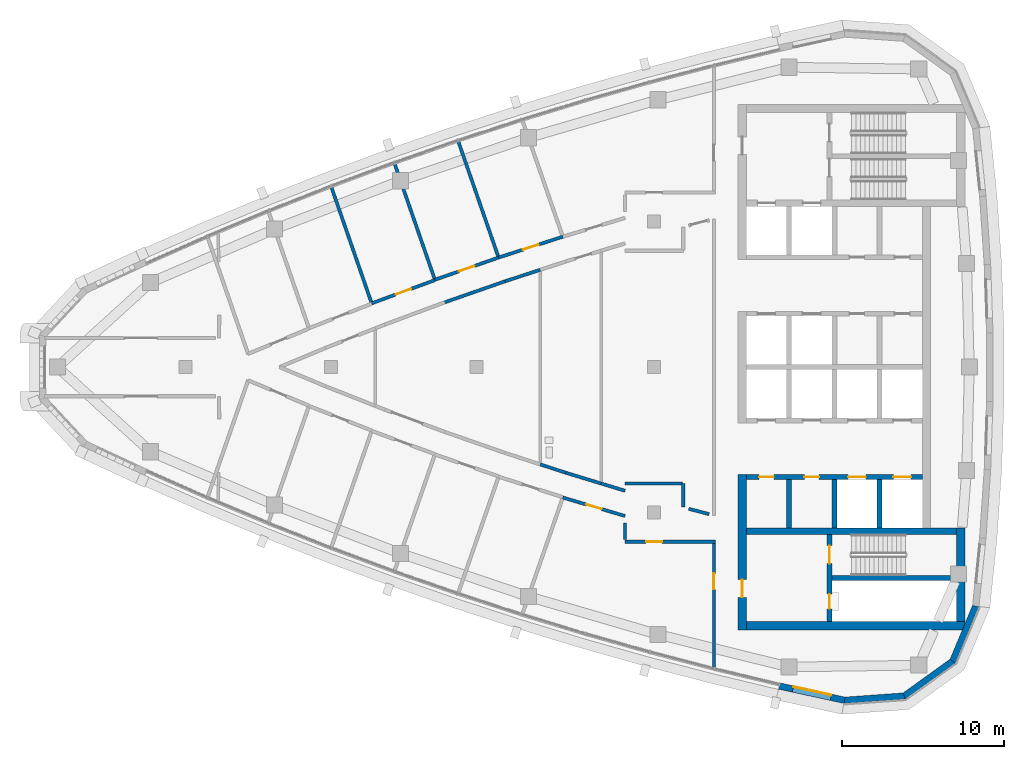
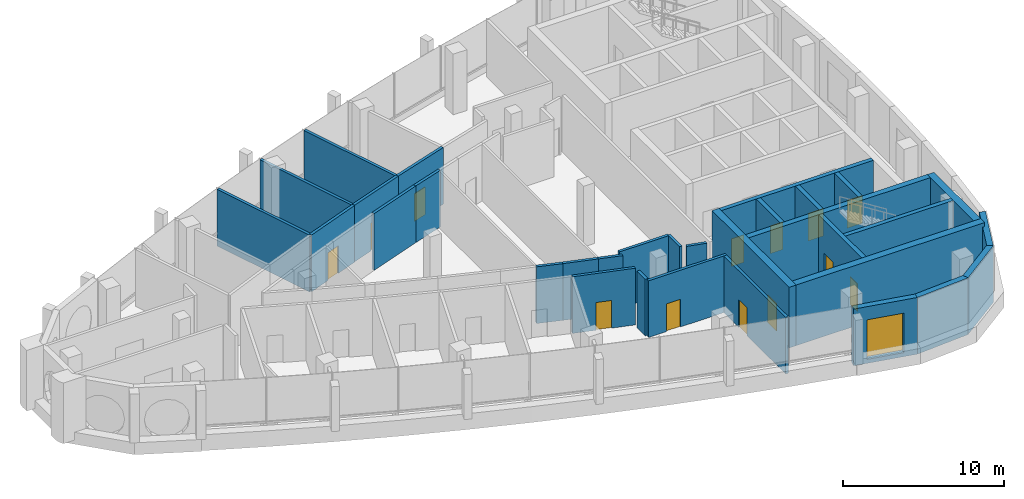
# One storey, part 8 of 15: 32 walls, 13 doors, 1 window, 14 openings.
"""IFC4 building model written with IfcOpenShell, lengths in metres."""

from ifc_helpers import new_model, si_unit, direction, frame, frame_2d, origin, place, context, subcontext, project, spatial, polyline, rectangle, outline, extrude, material, layer, layer_set, type_object, element, fill, save


model = new_model("IFC4")

# Units and contexts
model_context = context("Model", 3, precision=1e-05, world=origin(), true_north=direction((0.0, 1.0)))
body_context = subcontext(model_context, "Body", "Model", "MODEL_VIEW")
ifc_project = project(units=[si_unit("LENGTHUNIT", "METRE"), si_unit("AREAUNIT", "SQUARE_METRE"), si_unit("VOLUMEUNIT", "CUBIC_METRE"), si_unit("PLANEANGLEUNIT", "RADIAN"), si_unit("MASSUNIT", "GRAM", prefix="KILO")], contexts=[model_context])

# Site, building, storey
site_placement = place(None, origin())
site = spatial("IfcSite", under=ifc_project, at=site_placement, CompositionType="ELEMENT")
building_placement = place(site_placement, origin())
building = spatial("IfcBuilding", under=site, at=building_placement, Name="Ostrand Prow Hotel Tower", CompositionType="ELEMENT")
storey_placement = place(building_placement, frame((0.0, 0.0, 308.60009765625)))
storey = spatial("IfcBuildingStorey", under=building, at=storey_placement, Name="C1", CompositionType="ELEMENT", Elevation=308.60009765625)

# Wall, openings, doors
ifc_material_1 = material(Name="Concrete C40/50", Category="concrete")
ifc_layer_1 = layer(ifc_material_1, 0.300048828125)
ifc_layer_set_1 = layer_set([ifc_layer_1], Name="Concrete C40/50")
wall_type_1 = type_object("IfcWallType", Name="Core wall 300 C40/50", PredefinedType="SHEAR", material=ifc_layer_set_1)
wall_1_placement = place(storey_placement, frame((50.699951171875, -6.800048828125, 0.0), z_axis=(0.0, 0.0, 1.0), x_axis=(1.0, 0.0, 0.0)))
wall_1 = element("IfcWall", 1, at=wall_1_placement, inside=storey, type_object=wall_type_1, Name="Core wall PW-L2-S", PredefinedType="SHEAR", context=body_context, shape_type="SweptSolid", body=[
    extrude(rectangle(XDim=10.900146484375, YDim=0.300048828125, at=frame_2d((5.4501953125, 0.0))), origin(), (0.0, 0.0, 1.0), 4.599853515625),
])
opening_1_placement = place(wall_1_placement, frame((6.300048828125, 0.0, 0.0)))
opening_1 = element("IfcOpeningElement", 2, at=opening_1_placement, cuts=wall_1, Name="Opening LD", PredefinedType="OPENING", context=body_context, shape_type="SweptSolid", body=[
    extrude(rectangle(XDim=1.10009765625, YDim=2.10009765625, at=frame_2d((0.550048828125, 1.050048828125))), frame((0.0, 0.159912109375, 0.0), z_axis=(0.0, -1.0, 0.0), x_axis=(1.0, 0.0, 0.0)), (0.0, 0.0, 1.0), 0.320068359375),
])
opening_2_placement = place(wall_1_placement, frame((9.10009765625, 0.0, 0.0)))
opening_2 = element("IfcOpeningElement", 3, at=opening_2_placement, cuts=wall_1, Name="Opening LD", PredefinedType="OPENING", context=body_context, shape_type="SweptSolid", body=[
    extrude(rectangle(XDim=1.10009765625, YDim=2.10009765625, at=frame_2d((0.550048828125, 1.050048828125))), frame((0.0, 0.159912109375, 0.0), z_axis=(0.0, -1.0, 0.0), x_axis=(1.0, 0.0, 0.0)), (0.0, 0.0, 1.0), 0.320068359375),
])
opening_3_placement = place(wall_1_placement, frame((0.800048828125, 0.0, 0.0)))
opening_3 = element("IfcOpeningElement", 4, at=opening_3_placement, cuts=wall_1, Name="Opening FD2", PredefinedType="OPENING", context=body_context, shape_type="SweptSolid", body=[
    extrude(rectangle(XDim=0.89990234375, YDim=2.10009765625, at=frame_2d((0.449951171875, 1.050048828125))), frame((0.0, 0.159912109375, 0.0), z_axis=(0.0, -1.0, 0.0), x_axis=(1.0, 0.0, 0.0)), (0.0, 0.0, 1.0), 0.320068359375),
])
opening_4_placement = place(wall_1_placement, frame((3.60009765625, 0.0, 0.0)))
opening_4 = element("IfcOpeningElement", 5, at=opening_4_placement, cuts=wall_1, Name="Opening FD2", PredefinedType="OPENING", context=body_context, shape_type="SweptSolid", body=[
    extrude(rectangle(XDim=0.89990234375, YDim=2.10009765625, at=frame_2d((0.449951171875, 1.050048828125))), frame((0.0, 0.159912109375, 0.0), z_axis=(0.0, -1.0, 0.0), x_axis=(1.0, 0.0, 0.0)), (0.0, 0.0, 1.0), 0.320068359375),
])
ifc_material_2 = material(Name="Steel fire door", Category="steel")
door_type_1 = type_object("IfcDoorType", Name="Fire door 900 EI120", OperationType="SINGLE_SWING_LEFT", PredefinedType="DOOR", material=ifc_material_2)
door_1_placement = place(opening_3_placement, origin())
door_1 = element("IfcDoor", 6, at=door_1_placement, inside=storey, type_object=door_type_1, Name="DOOR", OperationType="SINGLE_SWING_LEFT", OverallHeight=2.10009765625, OverallWidth=0.89990234375, PredefinedType="DOOR", context=body_context, shape_type="SweptSolid", body=[
    extrude(rectangle(XDim=0.89990234375, YDim=2.10009765625, at=frame_2d((0.449951171875, 1.050048828125))), frame((0.0, 0.02490234375, 0.0), z_axis=(0.0, -1.0, 0.0), x_axis=(1.0, 0.0, 0.0)), (0.0, 0.0, 1.0), 0.050048828125),
])
fill(opening_3, door_1)
door_2_placement = place(opening_4_placement, origin())
door_2 = element("IfcDoor", 7, at=door_2_placement, inside=storey, type_object=door_type_1, Name="DOOR", OperationType="SINGLE_SWING_LEFT", OverallHeight=2.10009765625, OverallWidth=0.89990234375, PredefinedType="DOOR", context=body_context, shape_type="SweptSolid", body=[
    extrude(rectangle(XDim=0.89990234375, YDim=2.10009765625, at=frame_2d((0.449951171875, 1.050048828125))), frame((0.0, 0.02490234375, 0.0), z_axis=(0.0, -1.0, 0.0), x_axis=(1.0, 0.0, 0.0)), (0.0, 0.0, 1.0), 0.050048828125),
])
fill(opening_4, door_2)
ifc_material_3 = material(Name="Stainless steel door", Category="steel")
door_type_2 = type_object("IfcDoorType", Name="Lift landing door 1100", OperationType="DOUBLE_DOOR_SLIDING", PredefinedType="DOOR", material=ifc_material_3)
door_3_placement = place(opening_1_placement, origin())
door_3 = element("IfcDoor", 8, at=door_3_placement, inside=storey, type_object=door_type_2, Name="LIFT LANDING DOOR", OperationType="DOUBLE_DOOR_SLIDING", OverallHeight=2.10009765625, OverallWidth=1.10009765625, PredefinedType="DOOR", context=body_context, shape_type="SweptSolid", body=[
    extrude(rectangle(XDim=1.10009765625, YDim=2.10009765625, at=frame_2d((0.550048828125, 1.050048828125))), frame((0.0, 0.02490234375, 0.0), z_axis=(0.0, -1.0, 0.0), x_axis=(1.0, 0.0, 0.0)), (0.0, 0.0, 1.0), 0.050048828125),
])
fill(opening_1, door_3)
door_4_placement = place(opening_2_placement, origin())
door_4 = element("IfcDoor", 9, at=door_4_placement, inside=storey, type_object=door_type_2, Name="LIFT LANDING DOOR", OperationType="DOUBLE_DOOR_SLIDING", OverallHeight=2.10009765625, OverallWidth=1.10009765625, PredefinedType="DOOR", context=body_context, shape_type="SweptSolid", body=[
    extrude(rectangle(XDim=1.10009765625, YDim=2.10009765625, at=frame_2d((0.550048828125, 1.050048828125))), frame((0.0, 0.02490234375, 0.0), z_axis=(0.0, -1.0, 0.0), x_axis=(1.0, 0.0, 0.0)), (0.0, 0.0, 1.0), 0.050048828125),
])
fill(opening_2, door_4)

# Walls
for number, where, z_axis, x_axis, name in (
    (10, (53.35009765625, -9.949951171875, 0.0), (0.0, 0.0, 1.0), (0.0, 1.0, 0.0), "Core wall PW-R1-SA"),
    (11, (56.14990234375, -9.949951171875, 0.0), (0.0, 0.0, 1.0), (0.0, 1.0, 0.0), "Core wall PW-R2-SA"),
    (12, (58.949951171875, -9.949951171875, 0.0), (0.0, 0.0, 1.0), (0.0, 1.0, 0.0), "Core wall PW-R3-SA"),
):
    element("IfcWall", number, at=place(storey_placement, frame(where, z_axis=z_axis, x_axis=x_axis)), inside=storey, type_object=wall_type_1, Name=name, PredefinedType="SHEAR", context=body_context, shape_type="SweptSolid", body=[
        extrude(rectangle(XDim=3.0, YDim=0.300048828125, at=frame_2d((1.5, 0.0))), origin(), (0.0, 0.0, 1.0), 4.599853515625),
    ])

# Wall, openings, doors
wall_2_placement = place(storey_placement, frame((55.85009765625, -15.75, 0.0), z_axis=(0.0, 0.0, 1.0), x_axis=(0.0, 1.0, 0.0)))
wall_2 = element("IfcWall", 13, at=wall_2_placement, inside=storey, type_object=wall_type_1, Name="Core wall PW-VS", PredefinedType="SHEAR", context=body_context, shape_type="SweptSolid", body=[
    extrude(rectangle(XDim=5.39990234375, YDim=0.300048828125, at=frame_2d((2.699951171875, 0.0))), origin(), (0.0, 0.0, 1.0), 4.599853515625),
])
opening_5_placement = place(wall_2_placement, frame((3.60009765625, 0.0, 0.0)))
opening_5 = element("IfcOpeningElement", 14, at=opening_5_placement, cuts=wall_2, Name="Opening FD1", PredefinedType="OPENING", context=body_context, shape_type="SweptSolid", body=[
    extrude(rectangle(XDim=1.10009765625, YDim=2.10009765625, at=frame_2d((0.550048828125, 1.050048828125))), frame((0.0, 0.159912109375, 0.0), z_axis=(0.0, -1.0, 0.0), x_axis=(1.0, 0.0, 0.0)), (0.0, 0.0, 1.0), 0.320068359375),
])
opening_6_placement = place(wall_2_placement, frame((0.800048828125, 0.0, 0.0)))
opening_6 = element("IfcOpeningElement", 15, at=opening_6_placement, cuts=wall_2, Name="Opening FD2", PredefinedType="OPENING", context=body_context, shape_type="SweptSolid", body=[
    extrude(rectangle(XDim=0.89990234375, YDim=2.10009765625, at=frame_2d((0.449951171875, 1.050048828125))), frame((0.0, 0.159912109375, 0.0), z_axis=(0.0, -1.0, 0.0), x_axis=(1.0, 0.0, 0.0)), (0.0, 0.0, 1.0), 0.320068359375),
])
ifc_material_4 = material(Name="Steel fire door", Category="steel")
door_type_3 = type_object("IfcDoorType", Name="Fire door 1100 EI120", OperationType="SINGLE_SWING_RIGHT", PredefinedType="DOOR", material=ifc_material_4)
door_5_placement = place(opening_5_placement, origin())
door_5 = element("IfcDoor", 16, at=door_5_placement, inside=storey, type_object=door_type_3, Name="FIRE DOOR", OperationType="SINGLE_SWING_RIGHT", OverallHeight=2.10009765625, OverallWidth=1.10009765625, PredefinedType="DOOR", context=body_context, shape_type="SweptSolid", body=[
    extrude(rectangle(XDim=1.10009765625, YDim=2.10009765625, at=frame_2d((0.550048828125, 1.050048828125))), frame((0.0, 0.02490234375, 0.0), z_axis=(0.0, -1.0, 0.0), x_axis=(1.0, 0.0, 0.0)), (0.0, 0.0, 1.0), 0.050048828125),
])
fill(opening_5, door_5)
door_6_placement = place(opening_6_placement, origin())
door_6 = element("IfcDoor", 17, at=door_6_placement, inside=storey, type_object=door_type_1, Name="FIRE DOOR", OperationType="SINGLE_SWING_LEFT", OverallHeight=2.10009765625, OverallWidth=0.89990234375, PredefinedType="DOOR", context=body_context, shape_type="SweptSolid", body=[
    extrude(rectangle(XDim=0.89990234375, YDim=2.10009765625, at=frame_2d((0.449951171875, 1.050048828125))), frame((0.0, 0.02490234375, 0.0), z_axis=(0.0, -1.0, 0.0), x_axis=(1.0, 0.0, 0.0)), (0.0, 0.0, 1.0), 0.050048828125),
])
fill(opening_6, door_6)

# Walls
wall_3_placement = place(storey_placement, frame((56.0, -13.050048828125, 0.0), z_axis=(0.0, 0.0, 1.0), x_axis=(1.0, 0.0, 0.0)))
element("IfcWall", 18, at=wall_3_placement, inside=storey, type_object=wall_type_1, Name="Core wall PW-ST2R", PredefinedType="SHEAR", context=body_context, shape_type="SweptSolid", body=[
    extrude(rectangle(XDim=7.719970703125, YDim=0.300048828125, at=frame_2d((3.85986328125, 0.0))), origin(), (0.0, 0.0, 1.0), 4.599853515625),
])
ifc_material_5 = material(Name="Concrete C40/50", Category="concrete")
ifc_layer_2 = layer(ifc_material_5, 0.39990234375)
ifc_layer_set_2 = layer_set([ifc_layer_2], Name="Concrete C40/50")
wall_type_2 = type_object("IfcWallType", Name="Core wall 400 C40/50", PredefinedType="SHEAR", material=ifc_layer_set_2)
wall_4_placement = place(storey_placement, frame((50.699951171875, -10.14990234375, 0.0), z_axis=(0.0, 0.0, 1.0), x_axis=(1.0, 0.0, 0.0)))
element("IfcWall", 19, at=wall_4_placement, inside=storey, type_object=wall_type_2, Name="Core wall PW-BS", PredefinedType="SHEAR", context=body_context, shape_type="SweptSolid", body=[
    extrude(rectangle(XDim=13.02001953125, YDim=0.39990234375, at=frame_2d((6.510009765625, 0.0))), origin(), (0.0, 0.0, 1.0), 4.599853515625),
])

# Wall, opening, door
ifc_material_6 = material(Name="Concrete C40/50", Category="concrete")
ifc_layer_3 = layer(ifc_material_6, 0.5)
ifc_layer_set_3 = layer_set([ifc_layer_3], Name="Concrete C40/50")
wall_type_3 = type_object("IfcWallType", Name="Core wall 500 C40/50", PredefinedType="SHEAR", material=ifc_layer_set_3)
wall_5_placement = place(storey_placement, frame((50.449951171875, -16.25, 0.0), z_axis=(0.0, 0.0, 1.0), x_axis=(0.0, 1.0, 0.0)))
wall_5 = element("IfcWall", 20, at=wall_5_placement, inside=storey, type_object=wall_type_3, Name="Core wall CW-W-S", PredefinedType="SHEAR", context=body_context, shape_type="SweptSolid", body=[
    extrude(rectangle(XDim=9.60009765625, YDim=0.5, at=frame_2d((4.800048828125, 0.0))), origin(), (0.0, 0.0, 1.0), 4.599853515625),
])
opening_7_placement = place(wall_5_placement, frame((2.0, 0.0, 0.0)))
opening_7 = element("IfcOpeningElement", 21, at=opening_7_placement, cuts=wall_5, Name="Opening FD1", PredefinedType="OPENING", context=body_context, shape_type="SweptSolid", body=[
    extrude(rectangle(XDim=1.10009765625, YDim=2.10009765625, at=frame_2d((0.550048828125, 1.050048828125))), frame((0.0, 0.260009765625, 0.0), z_axis=(0.0, -1.0, 0.0), x_axis=(1.0, 0.0, 0.0)), (0.0, 0.0, 1.0), 0.52001953125),
])
door_7_placement = place(opening_7_placement, origin())
door_7 = element("IfcDoor", 22, at=door_7_placement, inside=storey, type_object=door_type_3, Name="FIRE DOOR", OperationType="SINGLE_SWING_RIGHT", OverallHeight=2.10009765625, OverallWidth=1.10009765625, PredefinedType="DOOR", context=body_context, shape_type="SweptSolid", body=[
    extrude(rectangle(XDim=1.10009765625, YDim=2.10009765625, at=frame_2d((0.550048828125, 1.050048828125))), frame((0.0, 0.02490234375, 0.0), z_axis=(0.0, -1.0, 0.0), x_axis=(1.0, 0.0, 0.0)), (0.0, 0.0, 1.0), 0.050048828125),
])
fill(opening_7, door_7)

# Walls
wall_6_placement = place(storey_placement, frame((50.699951171875, -16.0, 0.0), z_axis=(0.0, 0.0, 1.0), x_axis=(1.0, 0.0, 0.0)))
element("IfcWall", 23, at=wall_6_placement, inside=storey, type_object=wall_type_3, Name="Core wall CW-S", PredefinedType="SHEAR", context=body_context, shape_type="SweptSolid", body=[
    extrude(rectangle(XDim=13.52001953125, YDim=0.5, at=frame_2d((6.760009765625, 0.0))), origin(), (0.0, 0.0, 1.0), 4.599853515625),
])
wall_7_placement = place(storey_placement, frame((63.969970703125, -15.75, 0.0), z_axis=(0.0, 0.0, 1.0), x_axis=(0.0, 1.0, 0.0)))
element("IfcWall", 24, at=wall_7_placement, inside=storey, type_object=wall_type_3, Name="Core wall CW-E-S", PredefinedType="SHEAR", context=body_context, shape_type="SweptSolid", body=[
    extrude(rectangle(XDim=5.800048828125, YDim=0.5, at=frame_2d((2.89990234375, 0.0))), origin(), (0.0, 0.0, 1.0), 4.599853515625),
])

# Wall, opening, door
ifc_material_7 = material(Name="Plasterboard partition")
ifc_layer_4 = layer(ifc_material_7, 0.199951171875)
ifc_layer_set_4 = layer_set([ifc_layer_4], Name="Plasterboard partition")
wall_type_4 = type_object("IfcWallType", Name="Partition 200 corridor wall", PredefinedType="PARTITIONING", material=ifc_layer_set_4)
wall_8_placement = place(storey_placement, frame((27.52392578125, 3.94580078125, 0.0), z_axis=(0.0, 0.0, 1.0), x_axis=(0.938626470437, 0.344935282329, 0.0)))
wall_8 = element("IfcWall", 25, at=wall_8_placement, inside=storey, type_object=wall_type_4, Name="CORRIDOR WALL", PredefinedType="PARTITIONING", context=body_context, shape_type="SweptSolid", body=[
    extrude(rectangle(XDim=4.173095703125, YDim=0.199951171875, at=frame_2d((2.08642578125, 0.0))), origin(), (0.0, 0.0, 1.0), 4.2998046875),
])
opening_8_placement = place(wall_8_placement, frame((1.58642578125, 0.0, 0.0)))
opening_8 = element("IfcOpeningElement", 26, at=opening_8_placement, cuts=wall_8, Name="Opening D1", PredefinedType="OPENING", context=body_context, shape_type="SweptSolid", body=[
    extrude(rectangle(XDim=1.0, YDim=2.10009765625, at=frame_2d((0.5, 1.050048828125))), frame((0.0, 0.10986328125, 0.0), z_axis=(0.0, -1.0, 0.0), x_axis=(1.0, 0.0, 0.0)), (0.0, 0.0, 1.0), 0.219970703125),
])
ifc_material_8 = material(Name="Timber door leaf", Category="wood")
door_type_4 = type_object("IfcDoorType", Name="Guest room door 1000", OperationType="SINGLE_SWING_LEFT", PredefinedType="DOOR", material=ifc_material_8)
door_8_placement = place(opening_8_placement, origin())
door_8 = element("IfcDoor", 27, at=door_8_placement, inside=storey, type_object=door_type_4, Name="DOOR", OperationType="SINGLE_SWING_LEFT", OverallHeight=2.10009765625, OverallWidth=1.0, PredefinedType="DOOR", context=body_context, shape_type="SweptSolid", body=[
    extrude(rectangle(XDim=1.0, YDim=2.10009765625, at=frame_2d((0.5, 1.050048828125))), frame((0.0, 0.02490234375, 0.0), z_axis=(0.0, -1.0, 0.0), x_axis=(1.0, 0.0, 0.0)), (0.0, 0.0, 1.0), 0.050048828125),
])
fill(opening_8, door_8)

wall_9_placement = place(storey_placement, frame((35.375732421875, 6.778564453125, 0.0), z_axis=(0.0, 0.0, 1.0), x_axis=(-0.944236129554, -0.329269086986, 0.0)))
wall_9 = element("IfcWall", 28, at=wall_9_placement, inside=storey, type_object=wall_type_4, Name="CORRIDOR WALL", PredefinedType="PARTITIONING", context=body_context, shape_type="SweptSolid", body=[
    extrude(rectangle(XDim=4.17431640625, YDim=0.199951171875, at=frame_2d((2.087158203125, 0.0))), origin(), (0.0, 0.0, 1.0), 4.2998046875),
])
opening_9_placement = place(wall_9_placement, frame((1.587158203125, 0.0, 0.0)))
opening_9 = element("IfcOpeningElement", 29, at=opening_9_placement, cuts=wall_9, Name="Opening D1R", PredefinedType="OPENING", context=body_context, shape_type="SweptSolid", body=[
    extrude(rectangle(XDim=1.0, YDim=2.10009765625, at=frame_2d((0.5, 1.050048828125))), frame((0.0, 0.10986328125, 0.0), z_axis=(0.0, -1.0, 0.0), x_axis=(1.0, 0.0, 0.0)), (0.0, 0.0, 1.0), 0.219970703125),
])
ifc_material_9 = material(Name="Timber door leaf", Category="wood")
door_type_5 = type_object("IfcDoorType", Name="Guest room door 1000 right", OperationType="SINGLE_SWING_RIGHT", PredefinedType="DOOR", material=ifc_material_9)
door_9_placement = place(opening_9_placement, origin())
door_9 = element("IfcDoor", 30, at=door_9_placement, inside=storey, type_object=door_type_5, Name="DOOR", OperationType="SINGLE_SWING_RIGHT", OverallHeight=2.10009765625, OverallWidth=1.0, PredefinedType="DOOR", context=body_context, shape_type="SweptSolid", body=[
    extrude(rectangle(XDim=1.0, YDim=2.10009765625, at=frame_2d((0.5, 1.050048828125))), frame((0.0, 0.02490234375, 0.0), z_axis=(0.0, -1.0, 0.0), x_axis=(1.0, 0.0, 0.0)), (0.0, 0.0, 1.0), 0.050048828125),
])
fill(opening_9, door_9)

wall_10_placement = place(storey_placement, frame((39.3466796875, 8.068115234375, 0.0), z_axis=(0.0, 0.0, 1.0), x_axis=(-0.951104948213, -0.308867896493, 0.0)))
wall_10 = element("IfcWall", 31, at=wall_10_placement, inside=storey, type_object=wall_type_4, Name="CORRIDOR WALL", PredefinedType="PARTITIONING", context=body_context, shape_type="SweptSolid", body=[
    extrude(rectangle(XDim=4.175048828125, YDim=0.199951171875, at=frame_2d((2.08740234375, 0.0))), origin(), (0.0, 0.0, 1.0), 4.2998046875),
])
opening_10_placement = place(wall_10_placement, frame((1.587646484375, 0.0, 0.0)))
opening_10 = element("IfcOpeningElement", 32, at=opening_10_placement, cuts=wall_10, Name="Opening D1", PredefinedType="OPENING", context=body_context, shape_type="SweptSolid", body=[
    extrude(rectangle(XDim=1.0, YDim=2.10009765625, at=frame_2d((0.5, 1.050048828125))), frame((0.0, 0.10986328125, 0.0), z_axis=(0.0, -1.0, 0.0), x_axis=(1.0, 0.0, 0.0)), (0.0, 0.0, 1.0), 0.219970703125),
])
door_10_placement = place(opening_10_placement, origin())
door_10 = element("IfcDoor", 33, at=door_10_placement, inside=storey, type_object=door_type_4, Name="DOOR", OperationType="SINGLE_SWING_LEFT", OverallHeight=2.10009765625, OverallWidth=1.0, PredefinedType="DOOR", context=body_context, shape_type="SweptSolid", body=[
    extrude(rectangle(XDim=1.0, YDim=2.10009765625, at=frame_2d((0.5, 1.050048828125))), frame((0.0, 0.02490234375, 0.0), z_axis=(0.0, -1.0, 0.0), x_axis=(1.0, 0.0, 0.0)), (0.0, 0.0, 1.0), 0.050048828125),
])
fill(opening_10, door_10)

wall_11_placement = place(storey_placement, frame((39.3466796875, -8.068115234375, 0.0), z_axis=(0.0, 0.0, 1.0), x_axis=(0.958623301067, -0.284677653938, 0.0)))
wall_11 = element("IfcWall", 34, at=wall_11_placement, inside=storey, type_object=wall_type_4, Name="CORRIDOR WALL", PredefinedType="PARTITIONING", context=body_context, shape_type="SweptSolid", body=[
    extrude(rectangle(XDim=4.01953125, YDim=0.199951171875, at=frame_2d((2.009765625, 0.0))), origin(), (0.0, 0.0, 1.0), 4.2998046875),
])
opening_11_placement = place(wall_11_placement, frame((1.509765625, 0.0, 0.0)))
opening_11 = element("IfcOpeningElement", 35, at=opening_11_placement, cuts=wall_11, Name="Opening D1R", PredefinedType="OPENING", context=body_context, shape_type="SweptSolid", body=[
    extrude(rectangle(XDim=1.0, YDim=2.10009765625, at=frame_2d((0.5, 1.050048828125))), frame((0.0, 0.10986328125, 0.0), z_axis=(0.0, -1.0, 0.0), x_axis=(1.0, 0.0, 0.0)), (0.0, 0.0, 1.0), 0.219970703125),
])
door_11_placement = place(opening_11_placement, origin())
door_11 = element("IfcDoor", 36, at=door_11_placement, inside=storey, type_object=door_type_5, Name="DOOR", OperationType="SINGLE_SWING_RIGHT", OverallHeight=2.10009765625, OverallWidth=1.0, PredefinedType="DOOR", context=body_context, shape_type="SweptSolid", body=[
    extrude(rectangle(XDim=1.0, YDim=2.10009765625, at=frame_2d((0.5, 1.050048828125))), frame((0.0, 0.02490234375, 0.0), z_axis=(0.0, -1.0, 0.0), x_axis=(1.0, 0.0, 0.0)), (0.0, 0.0, 1.0), 0.050048828125),
])
fill(opening_11, door_11)

# Walls
wall_12_placement = place(storey_placement, frame((35.783447265625, 5.312744140625, 0.0), z_axis=(0.0, 0.0, 1.0), x_axis=(0.950697596331, 0.310119461386, 0.0)))
element("IfcWall", 37, at=wall_12_placement, inside=storey, type_object=wall_type_4, Name="CORRIDOR WALL", PredefinedType="PARTITIONING", context=body_context, shape_type="SweptSolid", body=[
    extrude(rectangle(XDim=2.28076171875, YDim=0.199951171875, at=frame_2d((1.140380859375, 0.0))), origin(), (0.0, 0.0, 1.0), 4.2998046875),
])
wall_13_placement = place(storey_placement, frame((32.048583984375, 4.0107421875, 0.0), z_axis=(0.0, 0.0, 1.0), x_axis=(0.94426757098, 0.329178909402, 0.0)))
element("IfcWall", 38, at=wall_13_placement, inside=storey, type_object=wall_type_4, Name="CORRIDOR WALL", PredefinedType="PARTITIONING", context=body_context, shape_type="SweptSolid", body=[
    extrude(rectangle(XDim=3.955322265625, YDim=0.199951171875, at=frame_2d((1.9775390625, 0.0))), origin(), (0.0, 0.0, 1.0), 4.2998046875),
])
wall_14_placement = place(storey_placement, frame((41.713623046875, -7.19921875, 0.0), z_axis=(0.0, 0.0, 1.0), x_axis=(-0.956735130354, 0.290960289981, 0.0)))
element("IfcWall", 39, at=wall_14_placement, inside=storey, type_object=wall_type_4, Name="CORRIDOR WALL", PredefinedType="PARTITIONING", context=body_context, shape_type="SweptSolid", body=[
    extrude(rectangle(XDim=2.26806640625, YDim=0.199951171875, at=frame_2d((1.134033203125, 0.0))), origin(), (0.0, 0.0, 1.0), 4.2998046875),
])
wall_15_placement = place(storey_placement, frame((39.543701171875, -6.539306640625, 0.0), z_axis=(0.0, 0.0, 1.0), x_axis=(-0.950704614016, 0.310097947249, 0.0)))
element("IfcWall", 40, at=wall_15_placement, inside=storey, type_object=wall_type_4, Name="CORRIDOR WALL", PredefinedType="PARTITIONING", context=body_context, shape_type="SweptSolid", body=[
    extrude(rectangle(XDim=1.674560546875, YDim=0.199951171875, at=frame_2d((0.83740234375, 0.0))), origin(), (0.0, 0.0, 1.0), 4.2998046875),
])
wall_16_placement = place(storey_placement, frame((43.199951171875, -7.651123046875, 0.0), z_axis=(0.0, 0.0, 1.0), x_axis=(-0.956755682532, 0.290892701769, 0.0)))
element("IfcWall", 41, at=wall_16_placement, inside=storey, type_object=wall_type_4, Name="CORRIDOR WALL", PredefinedType="PARTITIONING", context=body_context, shape_type="SweptSolid", body=[
    extrude(rectangle(XDim=1.553466796875, YDim=0.199951171875, at=frame_2d((0.77685546875, 0.0))), origin(), (0.0, 0.0, 1.0), 4.2998046875),
])

# Wall, opening, door
wall_17_placement = place(storey_placement, frame((43.198974609375, -10.804931640625, 0.0), z_axis=(0.0, 0.0, 1.0), x_axis=(0.999999999048, -4.3628114e-05, 0.0)))
wall_17 = element("IfcWall", 42, at=wall_17_placement, inside=storey, type_object=wall_type_4, Name="CORRIDOR WALL", PredefinedType="PARTITIONING", context=body_context, shape_type="SweptSolid", body=[
    extrude(rectangle(XDim=5.595947265625, YDim=0.199951171875, at=frame_2d((2.7978515625, 0.0))), origin(), (0.0, 0.0, 1.0), 4.2998046875),
])
opening_12_placement = place(wall_17_placement, frame((1.30078125, 0.0, 0.0)))
opening_12 = element("IfcOpeningElement", 43, at=opening_12_placement, cuts=wall_17, Name="Opening D1", PredefinedType="OPENING", context=body_context, shape_type="SweptSolid", body=[
    extrude(rectangle(XDim=1.0, YDim=2.10009765625, at=frame_2d((0.5, 1.050048828125))), frame((0.0, 0.10986328125, 0.0), z_axis=(0.0, -1.0, 0.0), x_axis=(1.0, 0.0, 0.0)), (0.0, 0.0, 1.0), 0.219970703125),
])
door_12_placement = place(opening_12_placement, origin())
door_12 = element("IfcDoor", 44, at=door_12_placement, inside=storey, type_object=door_type_4, Name="DOOR", OperationType="SINGLE_SWING_LEFT", OverallHeight=2.10009765625, OverallWidth=1.0, PredefinedType="DOOR", context=body_context, shape_type="SweptSolid", body=[
    extrude(rectangle(XDim=1.0, YDim=2.10009765625, at=frame_2d((0.5, 1.050048828125))), frame((0.0, 0.02490234375, 0.0), z_axis=(0.0, -1.0, 0.0), x_axis=(1.0, 0.0, 0.0)), (0.0, 0.0, 1.0), 0.050048828125),
])
fill(opening_12, door_12)

# Wall
wall_18_placement = place(storey_placement, frame((48.39990234375, -9.09423828125, 0.0), z_axis=(0.0, 0.0, 1.0), x_axis=(-0.967678694968, 0.252186326563, 0.0)))
element("IfcWall", 45, at=wall_18_placement, inside=storey, type_object=wall_type_4, Name="CORRIDOR WALL", PredefinedType="PARTITIONING", context=body_context, shape_type="SweptSolid", body=[
    extrude(rectangle(XDim=1.307861328125, YDim=0.199951171875, at=frame_2d((0.65380859375, 0.0))), origin(), (0.0, 0.0, 1.0), 4.2998046875),
])

# Wall, opening, door
wall_19_placement = place(storey_placement, frame((48.695068359375, -10.9150390625, 0.0), z_axis=(0.0, 0.0, 1.0), x_axis=(0.0, -1.0, 0.0)))
wall_19 = element("IfcWall", 46, at=wall_19_placement, inside=storey, type_object=wall_type_4, Name="CORRIDOR WALL", PredefinedType="PARTITIONING", context=body_context, shape_type="SweptSolid", body=[
    extrude(rectangle(XDim=7.674072265625, YDim=0.199951171875, at=frame_2d((3.8369140625, 0.0))), origin(), (0.0, 0.0, 1.0), 4.2998046875),
])
opening_13_placement = place(wall_19_placement, frame((1.838134765625, 0.0, 0.0)))
opening_13 = element("IfcOpeningElement", 47, at=opening_13_placement, cuts=wall_19, Name="Opening D1R", PredefinedType="OPENING", context=body_context, shape_type="SweptSolid", body=[
    extrude(rectangle(XDim=1.0, YDim=2.10009765625, at=frame_2d((0.5, 1.050048828125))), frame((0.0, 0.10986328125, 0.0), z_axis=(0.0, -1.0, 0.0), x_axis=(1.0, 0.0, 0.0)), (0.0, 0.0, 1.0), 0.219970703125),
])
door_13_placement = place(opening_13_placement, origin())
door_13 = element("IfcDoor", 48, at=door_13_placement, inside=storey, type_object=door_type_5, Name="DOOR", OperationType="SINGLE_SWING_RIGHT", OverallHeight=2.10009765625, OverallWidth=1.0, PredefinedType="DOOR", context=body_context, shape_type="SweptSolid", body=[
    extrude(rectangle(XDim=1.0, YDim=2.10009765625, at=frame_2d((0.5, 1.050048828125))), frame((0.0, 0.02490234375, 0.0), z_axis=(0.0, -1.0, 0.0), x_axis=(1.0, 0.0, 0.0)), (0.0, 0.0, 1.0), 0.050048828125),
])
fill(opening_13, door_13)

# Walls
wall_20_placement = place(storey_placement, frame((46.804931640625, -8.666259765625, 0.0), z_axis=(0.0, 0.0, 1.0), x_axis=(-0.002323645179, 0.999997300333, 0.0)))
element("IfcWall", 49, at=wall_20_placement, inside=storey, type_object=wall_type_4, Name="CORRIDOR WALL", PredefinedType="PARTITIONING", context=body_context, shape_type="SweptSolid", body=[
    extrude(rectangle(XDim=1.470947265625, YDim=0.199951171875, at=frame_2d((0.7353515625, 0.0))), origin(), (0.0, 0.0, 1.0), 4.2998046875),
])
wall_21_placement = place(storey_placement, frame((46.761474609375, -7.1953125, 0.0), z_axis=(0.0, 0.0, 1.0), x_axis=(-0.999999997651, 6.8540096e-05, 0.0)))
element("IfcWall", 50, at=wall_21_placement, inside=storey, type_object=wall_type_4, Name="CORRIDOR WALL", PredefinedType="PARTITIONING", context=body_context, shape_type="SweptSolid", body=[
    extrude(rectangle(XDim=3.56201171875, YDim=0.199951171875, at=frame_2d((1.781005859375, 0.0))), origin(), (0.0, 0.0, 1.0), 4.2998046875),
])
wall_22_placement = place(storey_placement, frame((43.199951171875, -10.65478515625, 0.0), z_axis=(0.0, 0.0, 1.0), x_axis=(0.0, 1.0, 0.0)))
element("IfcWall", 51, at=wall_22_placement, inside=storey, type_object=wall_type_4, Name="CORRIDOR WALL", PredefinedType="PARTITIONING", context=body_context, shape_type="SweptSolid", body=[
    extrude(rectangle(XDim=1.022705078125, YDim=0.199951171875, at=frame_2d((0.51123046875, 0.0))), origin(), (0.0, 0.0, 1.0), 4.2998046875),
])
ifc_material_10 = material(Name="Plasterboard partition")
ifc_layer_5 = layer(ifc_material_10, 0.199951171875)
ifc_layer_set_5 = layer_set([ifc_layer_5], Name="Plasterboard partition")
wall_type_5 = type_object("IfcWallType", Name="Partition 200 key partition", PredefinedType="PARTITIONING", material=ifc_layer_set_5)
wall_23_placement = place(storey_placement, frame((27.530517578125, 3.927001953125, 0.0), z_axis=(0.0, 0.0, 1.0), x_axis=(-0.327730022722, 0.944771417966, 0.0)))
element("IfcWall", 52, at=wall_23_placement, inside=storey, type_object=wall_type_5, Name="KEY PARTITION", PredefinedType="PARTITIONING", context=body_context, shape_type="SweptSolid", body=[
    extrude(rectangle(XDim=7.606689453125, YDim=0.199951171875, at=frame_2d((3.80322265625, 0.0))), origin(), (0.0, 0.0, 1.0), 4.2998046875),
])
wall_24_placement = place(storey_placement, frame((31.44091796875, 5.38525390625, 0.0), z_axis=(0.0, 0.0, 1.0), x_axis=(-0.327746961166, 0.944765542051, 0.0)))
element("IfcWall", 53, at=wall_24_placement, inside=storey, type_object=wall_type_5, Name="KEY PARTITION", PredefinedType="PARTITIONING", context=body_context, shape_type="SweptSolid", body=[
    extrude(rectangle(XDim=7.601806640625, YDim=0.199951171875, at=frame_2d((3.80078125, 0.0))), origin(), (0.0, 0.0, 1.0), 4.2998046875),
])
wall_25_placement = place(storey_placement, frame((35.38232421875, 6.759521484375, 0.0), z_axis=(0.0, 0.0, 1.0), x_axis=(-0.327699570064, 0.944781981083, 0.0)))
element("IfcWall", 54, at=wall_25_placement, inside=storey, type_object=wall_type_5, Name="KEY PARTITION", PredefinedType="PARTITIONING", context=body_context, shape_type="SweptSolid", body=[
    extrude(rectangle(XDim=7.601318359375, YDim=0.199951171875, at=frame_2d((3.80078125, 0.0))), origin(), (0.0, 0.0, 1.0), 4.2998046875),
])

# Wall, opening, window
ifc_material_11 = material(Name="Precast concrete C40/50", Category="concrete")
ifc_layer_6 = layer(ifc_material_11, 0.39990234375)
ifc_layer_set_6 = layer_set([ifc_layer_6], Name="Precast concrete C40/50")
wall_type_6 = type_object("IfcWallType", Name="Stone-faced precast wall 400 mm", PredefinedType="NOTDEFINED", material=ifc_layer_set_6)
wall_26_placement = place(storey_placement, frame((52.73828125, -19.73193359375, 0.0), z_axis=(0.0, 0.0, 1.0), x_axis=(0.977020225348, -0.213146614471, 0.0)))
wall_26 = element("IfcWall", 55, at=wall_26_placement, inside=storey, type_object=wall_type_6, Name="Stone-faced wall back 1", PredefinedType="NOTDEFINED", context=body_context, shape_type="SweptSolid", body=[
    extrude(outline(polyline([(0.0, -0.199951171875), (4.170654296875, -0.199951171875), (4.113037109375, 0.199951171875), (0.0, 0.199951171875), (0.0, -0.199951171875)])), origin(), (0.0, 0.0, 1.0), 4.2998046875),
])
opening_14_placement = place(wall_26_placement, frame((0.870849609375, 0.0, 0.300048828125)))
opening_14 = element("IfcOpeningElement", 56, at=opening_14_placement, cuts=wall_26, Name="Opening WR1", PredefinedType="OPENING", context=body_context, shape_type="SweptSolid", body=[
    extrude(rectangle(XDim=2.39990234375, YDim=3.0, at=frame_2d((1.199951171875, 1.5))), frame((0.0, 0.2099609375, 0.0), z_axis=(0.0, -1.0, 0.0), x_axis=(1.0, 0.0, 0.0)), (0.0, 0.0, 1.0), 0.419921875),
])
ifc_material_12 = material(Name="Insulated glass in bronze frame", Category="glass")
window_type = type_object("IfcWindowType", Name="Restaurant window 2400x3000", PartitioningType="SINGLE_PANEL", PredefinedType="WINDOW", material=ifc_material_12)
window_placement = place(opening_14_placement, origin())
window = element("IfcWindow", 57, at=window_placement, inside=storey, type_object=window_type, Name="Window back 1.1", OverallHeight=3.0, OverallWidth=2.39990234375, PartitioningType="SINGLE_PANEL", PredefinedType="WINDOW", context=body_context, shape_type="SweptSolid", body=[
    extrude(rectangle(XDim=2.39990234375, YDim=3.0, at=frame_2d((1.199951171875, 1.5))), frame((0.0, 0.169921875, 0.0), z_axis=(0.0, -1.0, 0.0), x_axis=(1.0, 0.0, 0.0)), (0.0, 0.0, 1.0), 0.06005859375),
])
fill(opening_14, window)

# Walls
wall_27_placement = place(storey_placement, frame((56.784912109375, -20.61474609375, 0.0), z_axis=(0.0, 0.0, 1.0), x_axis=(0.99746272096, 0.071190731806, 0.0)))
element("IfcWall", 58, at=wall_27_placement, inside=storey, type_object=wall_type_6, Name="Stone-faced wall back 2", PredefinedType="NOTDEFINED", context=body_context, shape_type="SweptSolid", body=[
    extrude(outline(polyline([(-0.02880859375, -0.199951171875), (3.75341796875, -0.199951171875), (3.64013671875, 0.199951171875), (0.02880859375, 0.199951171875), (-0.02880859375, -0.199951171875)])), origin(), (0.0, 0.0, 1.0), 4.2998046875),
])
wall_28_placement = place(storey_placement, frame((60.472412109375, -20.3515625, 0.0), z_axis=(0.0, 0.0, 1.0), x_axis=(0.811962548682, 0.583709533533, 0.0)))
element("IfcWall", 59, at=wall_28_placement, inside=storey, type_object=wall_type_6, Name="Stone-faced wall back 3", PredefinedType="NOTDEFINED", context=body_context, shape_type="SweptSolid", body=[
    extrude(outline(polyline([(-0.056640625, -0.199951171875), (3.753173828125, -0.199951171875), (3.639892578125, 0.199951171875), (0.056640625, 0.199951171875), (-0.056640625, -0.199951171875)])), origin(), (0.0, 0.0, 1.0), 4.2998046875),
])
wall_29_placement = place(storey_placement, frame((63.473876953125, -18.19384765625, 0.0), z_axis=(0.0, 0.0, 1.0), x_axis=(0.385285857918, 0.922797273343, 0.0)))
element("IfcWall", 60, at=wall_29_placement, inside=storey, type_object=wall_type_6, Name="Stone-faced wall back 4", PredefinedType="NOTDEFINED", context=body_context, shape_type="SweptSolid", body=[
    extrude(outline(polyline([(-0.056640625, -0.199951171875), (3.726318359375, -0.199951171875), (3.667236328125, 0.199951171875), (0.056640625, 0.199951171875), (-0.056640625, -0.199951171875)])), origin(), (0.0, 0.0, 1.0), 4.2998046875),
])

save(model, "model.ifc")
